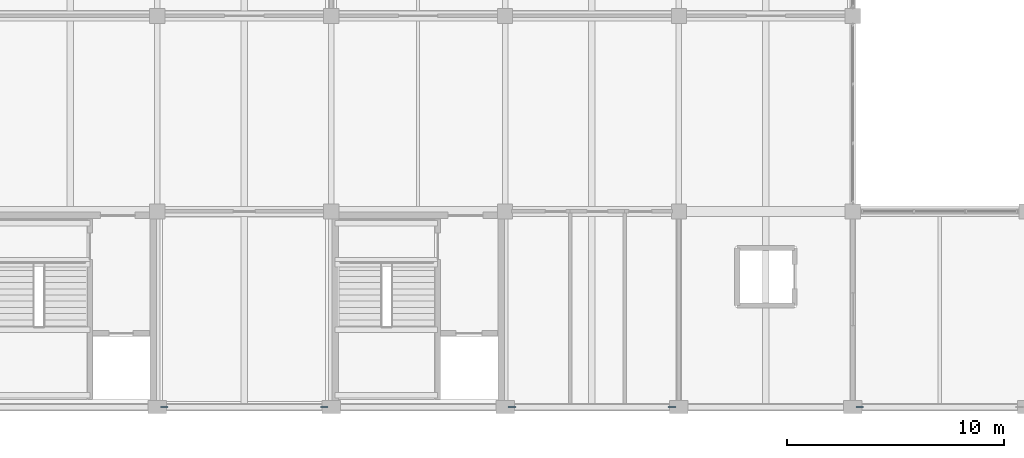
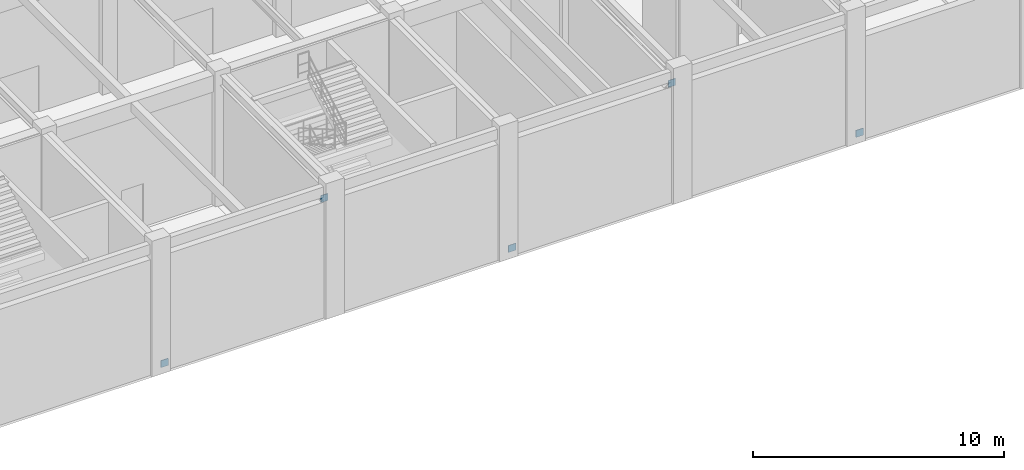
# One storey, part 122 of 163: 5 plates.
"""IFC4 building model written with IfcOpenShell, lengths in metres."""

from ifc_helpers import new_model, si_unit, direction, frame, origin, origin_2d, place, context, subcontext, project, spatial, rectangle, extrude, material, layer, layer_set, type_object, element, save


model = new_model("IFC4")

# Units and contexts
model_context = context("Model", 3, precision=1e-05, world=origin(), true_north=direction((0.0, 1.0)))
body_context = subcontext(model_context, "Body", "Model", "MODEL_VIEW")
ifc_project = project(units=[si_unit("LENGTHUNIT", "METRE"), si_unit("AREAUNIT", "SQUARE_METRE"), si_unit("VOLUMEUNIT", "CUBIC_METRE"), si_unit("PLANEANGLEUNIT", "RADIAN"), si_unit("MASSUNIT", "GRAM", prefix="KILO")], contexts=[model_context])

# Site, building, storey
site_placement = place(None, origin())
site = spatial("IfcSite", under=ifc_project, at=site_placement, CompositionType="ELEMENT")
building_placement = place(site_placement, origin())
building = spatial("IfcBuilding", under=site, at=building_placement, Name="Varnabhumi Central Station", CompositionType="ELEMENT")
storey_placement = place(building_placement, frame((0.0, 0.0, 9.60009765625)))
storey = spatial("IfcBuildingStorey", under=building, at=storey_placement, Name="L02", CompositionType="ELEMENT", Elevation=9.60009765625)

# Plates
ifc_material = material(Name="Structural steel E350", Category="steel")
ifc_layer = layer(ifc_material, 0.031982421875, Name="Structural steel E350", Category="steel")
ifc_layer_set = layer_set([ifc_layer], Name="Structural steel E350")
plate_type = type_object("IfcPlateType", Name="PLT-GUSSET-A", PredefinedType="USERDEFINED", material=ifc_layer_set)
for number, where, z_axis, x_axis, name in (
    (1, (112.320068359375, 0.0, 0.080078125), (0.0, 0.0, 1.0), (1.0, 0.0, 0.0), "Lateral Brace End Gusset WB-8-B"),
    (2, (80.320068359375, 0.0, 0.080078125), (0.0, 0.0, 1.0), (1.0, 0.0, 0.0), "Lateral Brace End Gusset WB-16-B"),
    (3, (87.679931640625, 0.0, 5.52978515625), (0.0, 0.0, 1.0), (1.0, 0.0, 0.0), "Lateral Brace End Gusset WB-16-T"),
    (4, (96.320068359375, 0.0, 0.080078125), (0.0, 0.0, 1.0), (1.0, 0.0, 0.0), "Lateral Brace End Gusset WB-17-B"),
    (5, (103.679931640625, 0.0, 5.52978515625), (0.0, 0.0, 1.0), (1.0, 0.0, 0.0), "Lateral Brace End Gusset WB-17-T"),
):
    element("IfcPlate", number, at=place(storey_placement, frame(where, z_axis=z_axis, x_axis=x_axis)), inside=storey, type_object=plate_type, Name=name, ObjectType="GUSSET PLATE", PredefinedType="USERDEFINED", context=body_context, shape_type="SweptSolid", body=[
        extrude(rectangle(XDim=0.340087890625, YDim=0.02490234375, at=origin_2d()), origin(), (0.0, 0.0, 1.0), 0.340087890625),
    ])

save(model, "model.ifc")
